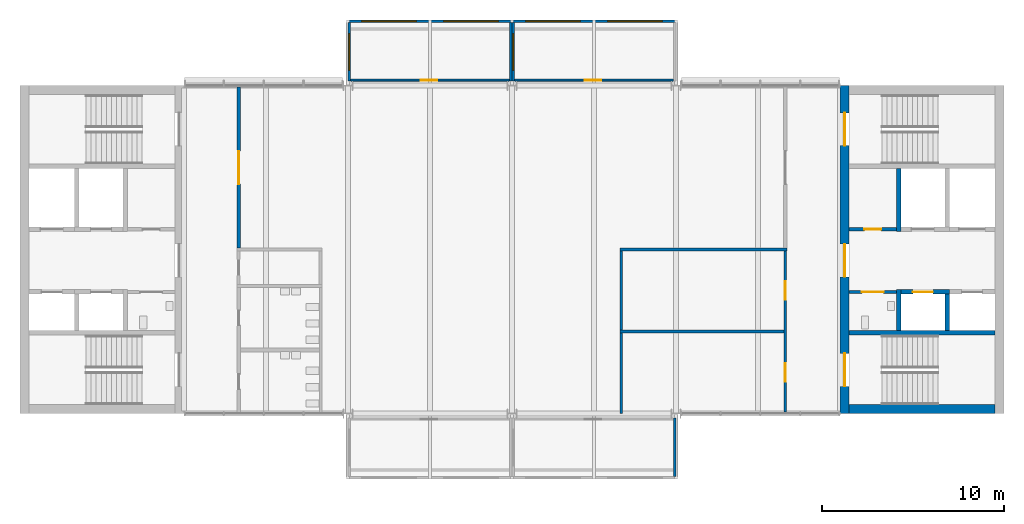
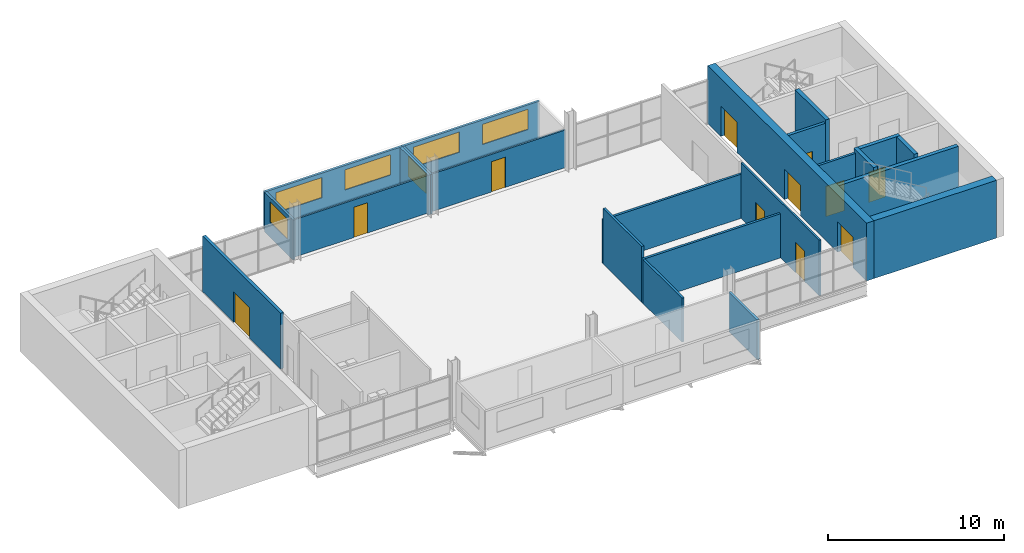
# One storey, part 6 of 10: 23 walls, 11 doors, 6 windows, 17 openings.
"""IFC4 building model written with IfcOpenShell, lengths in metres."""

from ifc_helpers import new_model, si_unit, direction, frame, frame_2d, origin, place, context, subcontext, project, spatial, rectangle, extrude, material, layer, layer_set, type_object, element, fill, save


model = new_model("IFC4")

# Units and contexts
model_context = context("Model", 3, precision=1e-05, world=origin(), true_north=direction((0.0, 1.0)))
body_context = subcontext(model_context, "Body", "Model", "MODEL_VIEW")
ifc_project = project(units=[si_unit("LENGTHUNIT", "METRE"), si_unit("AREAUNIT", "SQUARE_METRE"), si_unit("VOLUMEUNIT", "CUBIC_METRE"), si_unit("PLANEANGLEUNIT", "RADIAN"), si_unit("MASSUNIT", "GRAM", prefix="KILO")], contexts=[model_context])

# Site, building, storey
site_placement = place(None, origin())
site = spatial("IfcSite", under=ifc_project, at=site_placement, CompositionType="ELEMENT")
building_placement = place(site_placement, origin())
building = spatial("IfcBuilding", under=site, at=building_placement, Name="Corbel Yard City Hall", CompositionType="ELEMENT")
storey_placement = place(building_placement, frame((0.0, 0.0, 19.199951171875)))
storey = spatial("IfcBuildingStorey", under=building, at=storey_placement, Name="L04", CompositionType="ELEMENT", Elevation=19.199951171875)

# Walls
ifc_material_1 = material(Name="Concrete N40 (40 MPa)", Category="concrete")
ifc_layer_1 = layer(ifc_material_1, 0.25)
ifc_layer_set_1 = layer_set([ifc_layer_1], Name="Concrete N40 (40 MPa)")
wall_type_1 = type_object("IfcWallType", Name="IW2", PredefinedType="SOLIDWALL", material=ifc_layer_set_1)
wall_1_placement = place(storey_placement, frame((45.5, 103.425048828125, 0.0), z_axis=(0.0, 0.0, 1.0), x_axis=(1.0, 0.0, 0.0)))
element("IfcWall", 1, at=wall_1_placement, inside=storey, type_object=wall_type_1, Name="Stair enclosure wall", PredefinedType="SOLIDWALL", context=body_context, shape_type="SweptSolid", body=[
    extrude(rectangle(XDim=8.0, YDim=0.25, at=frame_2d((4.0, 0.0))), origin(), (0.0, 0.0, 1.0), 3.75),
])
wall_2_placement = place(storey_placement, frame((48.22509765625, 103.550048828125, 0.0), z_axis=(0.0, 0.0, 1.0), x_axis=(0.0, 1.0, 0.0)))
element("IfcWall", 2, at=wall_2_placement, inside=storey, type_object=wall_type_1, Name="Lift LP25 shaft wall", PredefinedType="SOLIDWALL", context=body_context, shape_type="SweptSolid", body=[
    extrude(rectangle(XDim=2.25, YDim=0.25, at=frame_2d((1.125, 0.0))), origin(), (0.0, 0.0, 1.0), 4.0),
])
wall_3_placement = place(storey_placement, frame((50.875, 103.550048828125, 0.0), z_axis=(0.0, 0.0, 1.0), x_axis=(0.0, 1.0, 0.0)))
element("IfcWall", 3, at=wall_3_placement, inside=storey, type_object=wall_type_1, Name="Lift LP25 shaft wall", PredefinedType="SOLIDWALL", context=body_context, shape_type="SweptSolid", body=[
    extrude(rectangle(XDim=2.0, YDim=0.25, at=frame_2d((1.0, 0.0))), origin(), (0.0, 0.0, 1.0), 4.0),
])

# Wall, opening, door
wall_4_placement = place(storey_placement, frame((48.35009765625, 105.675048828125, 0.0), z_axis=(0.0, 0.0, 1.0), x_axis=(1.0, 0.0, 0.0)))
wall_4 = element("IfcWall", 4, at=wall_4_placement, inside=storey, type_object=wall_type_1, Name="Lift LP25 shaft wall", PredefinedType="SOLIDWALL", context=body_context, shape_type="SweptSolid", body=[
    extrude(rectangle(XDim=2.64990234375, YDim=0.25, at=frame_2d((1.324951171875, 0.0))), origin(), (0.0, 0.0, 1.0), 4.0),
])
opening_1_placement = place(wall_4_placement, frame((0.64990234375, 0.0, 0.0)))
opening_1 = element("IfcOpeningElement", 5, at=opening_1_placement, cuts=wall_4, Name="Opening T1-009", PredefinedType="OPENING", context=body_context, shape_type="SweptSolid", body=[
    extrude(rectangle(XDim=1.10009765625, YDim=2.10009765625, at=frame_2d((0.550048828125, 1.050048828125))), frame((0.0, 0.135009765625, 0.0), z_axis=(0.0, -1.0, 0.0), x_axis=(1.0, 0.0, 0.0)), (0.0, 0.0, 1.0), 0.27001953125),
])
ifc_material_2 = material(Name="Stainless steel Grade 316", Category="steel")
door_type_1 = type_object("IfcDoorType", Name="LD1", OperationType="DOUBLE_DOOR_SLIDING", PredefinedType="DOOR", material=ifc_material_2)
door_1_placement = place(opening_1_placement, origin())
door_1 = element("IfcDoor", 6, at=door_1_placement, inside=storey, type_object=door_type_1, Name="Lift LP25 landing door", OperationType="DOUBLE_DOOR_SLIDING", OverallHeight=2.10009765625, OverallWidth=1.10009765625, PredefinedType="DOOR", context=body_context, shape_type="SweptSolid", body=[
    extrude(rectangle(XDim=1.10009765625, YDim=2.10009765625, at=frame_2d((0.550048828125, 1.050048828125))), frame((0.0, 0.02490234375, 0.0), z_axis=(0.0, -1.0, 0.0), x_axis=(1.0, 0.0, 0.0)), (0.0, 0.0, 1.0), 0.050048828125),
])
fill(opening_1, door_1)

# Wall
wall_5_placement = place(storey_placement, frame((48.22509765625, 109.0, 0.0), z_axis=(0.0, 0.0, 1.0), x_axis=(0.0, 1.0, 0.0)))
element("IfcWall", 7, at=wall_5_placement, inside=storey, type_object=wall_type_1, Name="Lift LF2 shaft wall", PredefinedType="SOLIDWALL", context=body_context, shape_type="SweptSolid", body=[
    extrude(rectangle(XDim=3.449951171875, YDim=0.25, at=frame_2d((1.72509765625, 0.0))), origin(), (0.0, 0.0, 1.0), 4.0),
])

# Wall, openings, windows
ifc_material_3 = material(Name="Anodised aluminium", Category="aluminium")
ifc_layer_2 = layer(ifc_material_3, 0.02392578125)
ifc_material_4 = material(Name="Steel Grade G550 (550 MPa yield)", Category="steel")
ifc_layer_3 = layer(ifc_material_4, 0.10009765625)
ifc_material_5 = material(Name="Gypsum plasterboard", Category="gypsum")
ifc_layer_4 = layer(ifc_material_5, 0.02587890625)
ifc_layer_set_2 = layer_set([ifc_layer_2, ifc_layer_3, ifc_layer_4], Name="Steel Grade G550 (550 MPa yield)")
wall_type_2 = type_object("IfcWallType", Name="PD1", PredefinedType="SOLIDWALL", material=ifc_layer_set_2)
wall_6_placement = place(storey_placement, frame((18.0, 120.52490234375, 0.0), z_axis=(0.0, 0.0, 1.0), x_axis=(1.0, 0.0, 0.0)))
wall_6 = element("IfcWall", 8, at=wall_6_placement, inside=storey, type_object=wall_type_2, Name="Pod outer wall L04", PredefinedType="SOLIDWALL", context=body_context, shape_type="SweptSolid", body=[
    extrude(rectangle(XDim=9.0, YDim=0.14990234375, at=frame_2d((4.5, 0.0))), origin(), (0.0, 0.0, 1.0), 2.60009765625),
])
opening_2_placement = place(wall_6_placement, frame((0.75, 0.0, 0.89990234375)))
opening_2 = element("IfcOpeningElement", 9, at=opening_2_placement, cuts=wall_6, Name="Opening WN5", PredefinedType="OPENING", context=body_context, shape_type="SweptSolid", body=[
    extrude(rectangle(XDim=3.0, YDim=1.39990234375, at=frame_2d((1.5, 0.699951171875))), frame((0.0, 0.0849609375, 0.0), z_axis=(0.0, -1.0, 0.0), x_axis=(1.0, 0.0, 0.0)), (0.0, 0.0, 1.0), 0.169921875),
])
opening_3_placement = place(wall_6_placement, frame((5.25, 0.0, 0.89990234375)))
opening_3 = element("IfcOpeningElement", 10, at=opening_3_placement, cuts=wall_6, Name="Opening WN5", PredefinedType="OPENING", context=body_context, shape_type="SweptSolid", body=[
    extrude(rectangle(XDim=3.0, YDim=1.39990234375, at=frame_2d((1.5, 0.699951171875))), frame((0.0, 0.0849609375, 0.0), z_axis=(0.0, -1.0, 0.0), x_axis=(1.0, 0.0, 0.0)), (0.0, 0.0, 1.0), 0.169921875),
])
ifc_material_6 = material(Name="Aluminium frame, double glazed low-e glass", Category="aluminium")
window_type_1 = type_object("IfcWindowType", Name="WN5", PartitioningType="SINGLE_PANEL", PredefinedType="WINDOW", material=ifc_material_6)
window_1_placement = place(opening_2_placement, origin())
window_1 = element("IfcWindow", 11, at=window_1_placement, inside=storey, type_object=window_type_1, Name="Window WN5 L04", OverallHeight=1.39990234375, OverallWidth=3.0, PartitioningType="SINGLE_PANEL", PredefinedType="WINDOW", context=body_context, shape_type="SweptSolid", body=[
    extrude(rectangle(XDim=3.0, YDim=1.39990234375, at=frame_2d((1.5, 0.699951171875))), frame((0.0, 0.030029296875, 0.0), z_axis=(0.0, -1.0, 0.0), x_axis=(1.0, 0.0, 0.0)), (0.0, 0.0, 1.0), 0.06005859375),
])
fill(opening_2, window_1)
window_2_placement = place(opening_3_placement, origin())
window_2 = element("IfcWindow", 12, at=window_2_placement, inside=storey, type_object=window_type_1, Name="Window WN5 L04", OverallHeight=1.39990234375, OverallWidth=3.0, PartitioningType="SINGLE_PANEL", PredefinedType="WINDOW", context=body_context, shape_type="SweptSolid", body=[
    extrude(rectangle(XDim=3.0, YDim=1.39990234375, at=frame_2d((1.5, 0.699951171875))), frame((0.0, 0.030029296875, 0.0), z_axis=(0.0, -1.0, 0.0), x_axis=(1.0, 0.0, 0.0)), (0.0, 0.0, 1.0), 0.06005859375),
])
fill(opening_3, window_2)

wall_7_placement = place(storey_placement, frame((27.0, 120.52490234375, 0.0), z_axis=(0.0, 0.0, 1.0), x_axis=(1.0, 0.0, 0.0)))
wall_7 = element("IfcWall", 13, at=wall_7_placement, inside=storey, type_object=wall_type_2, Name="Pod outer wall L04", PredefinedType="SOLIDWALL", context=body_context, shape_type="SweptSolid", body=[
    extrude(rectangle(XDim=9.0, YDim=0.14990234375, at=frame_2d((4.5, 0.0))), origin(), (0.0, 0.0, 1.0), 2.60009765625),
])
opening_4_placement = place(wall_7_placement, frame((0.75, 0.0, 0.89990234375)))
opening_4 = element("IfcOpeningElement", 14, at=opening_4_placement, cuts=wall_7, Name="Opening WN5", PredefinedType="OPENING", context=body_context, shape_type="SweptSolid", body=[
    extrude(rectangle(XDim=3.0, YDim=1.39990234375, at=frame_2d((1.5, 0.699951171875))), frame((0.0, 0.0849609375, 0.0), z_axis=(0.0, -1.0, 0.0), x_axis=(1.0, 0.0, 0.0)), (0.0, 0.0, 1.0), 0.169921875),
])
opening_5_placement = place(wall_7_placement, frame((5.25, 0.0, 0.89990234375)))
opening_5 = element("IfcOpeningElement", 15, at=opening_5_placement, cuts=wall_7, Name="Opening WN5", PredefinedType="OPENING", context=body_context, shape_type="SweptSolid", body=[
    extrude(rectangle(XDim=3.0, YDim=1.39990234375, at=frame_2d((1.5, 0.699951171875))), frame((0.0, 0.0849609375, 0.0), z_axis=(0.0, -1.0, 0.0), x_axis=(1.0, 0.0, 0.0)), (0.0, 0.0, 1.0), 0.169921875),
])
window_3_placement = place(opening_4_placement, origin())
window_3 = element("IfcWindow", 16, at=window_3_placement, inside=storey, type_object=window_type_1, Name="Window WN5 L04", OverallHeight=1.39990234375, OverallWidth=3.0, PartitioningType="SINGLE_PANEL", PredefinedType="WINDOW", context=body_context, shape_type="SweptSolid", body=[
    extrude(rectangle(XDim=3.0, YDim=1.39990234375, at=frame_2d((1.5, 0.699951171875))), frame((0.0, 0.030029296875, 0.0), z_axis=(0.0, -1.0, 0.0), x_axis=(1.0, 0.0, 0.0)), (0.0, 0.0, 1.0), 0.06005859375),
])
fill(opening_4, window_3)
window_4_placement = place(opening_5_placement, origin())
window_4 = element("IfcWindow", 17, at=window_4_placement, inside=storey, type_object=window_type_1, Name="Window WN5 L04", OverallHeight=1.39990234375, OverallWidth=3.0, PartitioningType="SINGLE_PANEL", PredefinedType="WINDOW", context=body_context, shape_type="SweptSolid", body=[
    extrude(rectangle(XDim=3.0, YDim=1.39990234375, at=frame_2d((1.5, 0.699951171875))), frame((0.0, 0.030029296875, 0.0), z_axis=(0.0, -1.0, 0.0), x_axis=(1.0, 0.0, 0.0)), (0.0, 0.0, 1.0), 0.06005859375),
])
fill(opening_5, window_4)

# Wall, opening, door
ifc_layer_5 = layer(ifc_material_5, 0.01806640625)
ifc_layer_6 = layer(ifc_material_4, 0.06396484375)
ifc_layer_7 = layer(ifc_material_5, 0.01806640625)
ifc_layer_set_3 = layer_set([ifc_layer_5, ifc_layer_6, ifc_layer_7], Name="Steel Grade G550 (550 MPa yield)")
wall_type_3 = type_object("IfcWallType", Name="PD2", PredefinedType="PARTITIONING", material=ifc_layer_set_3)
wall_8_placement = place(storey_placement, frame((18.14990234375, 117.300048828125, 0.0), z_axis=(0.0, 0.0, 1.0), x_axis=(1.0, 0.0, 0.0)))
wall_8 = element("IfcWall", 18, at=wall_8_placement, inside=storey, type_object=wall_type_3, Name="Pod inner wall L04", PredefinedType="PARTITIONING", context=body_context, shape_type="SweptSolid", body=[
    extrude(rectangle(XDim=8.7001953125, YDim=0.10009765625, at=frame_2d((4.35009765625, 0.0))), origin(), (0.0, 0.0, 1.0), 2.60009765625),
])
opening_6_placement = place(wall_8_placement, frame((3.85009765625, 0.0, 0.0)))
opening_6 = element("IfcOpeningElement", 19, at=opening_6_placement, cuts=wall_8, Name="Opening T1-003", PredefinedType="OPENING", context=body_context, shape_type="SweptSolid", body=[
    extrude(rectangle(XDim=0.89990234375, YDim=2.10009765625, at=frame_2d((0.449951171875, 1.050048828125))), frame((0.0, 0.06005859375, 0.0), z_axis=(0.0, -1.0, 0.0), x_axis=(1.0, 0.0, 0.0)), (0.0, 0.0, 1.0), 0.1201171875),
])
ifc_material_7 = material(Name="Timber, solid core", Category="wood")
door_type_2 = type_object("IfcDoorType", Name="XD6", OperationType="SINGLE_SWING_LEFT", PredefinedType="DOOR", material=ifc_material_7)
door_2_placement = place(opening_6_placement, origin())
door_2 = element("IfcDoor", 20, at=door_2_placement, inside=storey, type_object=door_type_2, Name="Pod door L04", OperationType="SINGLE_SWING_LEFT", OverallHeight=2.10009765625, OverallWidth=0.89990234375, PredefinedType="DOOR", context=body_context, shape_type="SweptSolid", body=[
    extrude(rectangle(XDim=0.89990234375, YDim=2.10009765625, at=frame_2d((0.449951171875, 1.050048828125))), frame((0.0, 0.02490234375, 0.0), z_axis=(0.0, -1.0, 0.0), x_axis=(1.0, 0.0, 0.0)), (0.0, 0.0, 1.0), 0.050048828125),
])
fill(opening_6, door_2)

wall_9_placement = place(storey_placement, frame((27.14990234375, 117.300048828125, 0.0), z_axis=(0.0, 0.0, 1.0), x_axis=(1.0, 0.0, 0.0)))
wall_9 = element("IfcWall", 21, at=wall_9_placement, inside=storey, type_object=wall_type_3, Name="Pod inner wall L04", PredefinedType="PARTITIONING", context=body_context, shape_type="SweptSolid", body=[
    extrude(rectangle(XDim=8.7001953125, YDim=0.10009765625, at=frame_2d((4.35009765625, 0.0))), origin(), (0.0, 0.0, 1.0), 2.60009765625),
])
opening_7_placement = place(wall_9_placement, frame((3.85009765625, 0.0, 0.0)))
opening_7 = element("IfcOpeningElement", 22, at=opening_7_placement, cuts=wall_9, Name="Opening T1-004", PredefinedType="OPENING", context=body_context, shape_type="SweptSolid", body=[
    extrude(rectangle(XDim=0.89990234375, YDim=2.10009765625, at=frame_2d((0.449951171875, 1.050048828125))), frame((0.0, 0.06005859375, 0.0), z_axis=(0.0, -1.0, 0.0), x_axis=(1.0, 0.0, 0.0)), (0.0, 0.0, 1.0), 0.1201171875),
])
door_3_placement = place(opening_7_placement, origin())
door_3 = element("IfcDoor", 23, at=door_3_placement, inside=storey, type_object=door_type_2, Name="Pod door L04", OperationType="SINGLE_SWING_LEFT", OverallHeight=2.10009765625, OverallWidth=0.89990234375, PredefinedType="DOOR", context=body_context, shape_type="SweptSolid", body=[
    extrude(rectangle(XDim=0.89990234375, YDim=2.10009765625, at=frame_2d((0.449951171875, 1.050048828125))), frame((0.0, 0.02490234375, 0.0), z_axis=(0.0, -1.0, 0.0), x_axis=(1.0, 0.0, 0.0)), (0.0, 0.0, 1.0), 0.050048828125),
])
fill(opening_7, door_3)

# Wall
ifc_layer_8 = layer(ifc_material_3, 0.02392578125)
ifc_layer_9 = layer(ifc_material_4, 0.10009765625)
ifc_layer_10 = layer(ifc_material_5, 0.02587890625)
ifc_layer_set_4 = layer_set([ifc_layer_8, ifc_layer_9, ifc_layer_10], Name="Steel Grade G550 (550 MPa yield)")
wall_type_4 = type_object("IfcWallType", Name="PD3", PredefinedType="SOLIDWALL", material=ifc_layer_set_4)
wall_10_placement = place(storey_placement, frame((35.925048828125, 95.550048828125, -0.14990234375), z_axis=(0.0, 0.0, 1.0), x_axis=(0.0, 1.0, 0.0)))
element("IfcWall", 24, at=wall_10_placement, inside=storey, type_object=wall_type_4, Name="Pod side wall L04", PredefinedType="SOLIDWALL", context=body_context, shape_type="SweptSolid", body=[
    extrude(rectangle(XDim=3.199951171875, YDim=0.14990234375, at=frame_2d((1.60009765625, 0.0))), origin(), (0.0, 0.0, 1.0), 2.75),
])

# Wall, opening, window
wall_11_placement = place(storey_placement, frame((18.074951171875, 120.449951171875, -0.14990234375), z_axis=(0.0, 0.0, 1.0), x_axis=(0.0, -1.0, 0.0)))
wall_11 = element("IfcWall", 25, at=wall_11_placement, inside=storey, type_object=wall_type_4, Name="Pod side wall L04", PredefinedType="SOLIDWALL", context=body_context, shape_type="SweptSolid", body=[
    extrude(rectangle(XDim=3.199951171875, YDim=0.14990234375, at=frame_2d((1.60009765625, 0.0))), origin(), (0.0, 0.0, 1.0), 2.75),
])
opening_8_placement = place(wall_11_placement, frame((0.60009765625, 0.0, 1.050048828125)))
opening_8 = element("IfcOpeningElement", 26, at=opening_8_placement, cuts=wall_11, Name="Opening WN6", PredefinedType="OPENING", context=body_context, shape_type="SweptSolid", body=[
    extrude(rectangle(XDim=2.0, YDim=1.39990234375, at=frame_2d((1.0, 0.699951171875))), frame((0.0, 0.0849609375, 0.0), z_axis=(0.0, -1.0, 0.0), x_axis=(1.0, 0.0, 0.0)), (0.0, 0.0, 1.0), 0.169921875),
])
window_type_2 = type_object("IfcWindowType", Name="WN6", PartitioningType="SINGLE_PANEL", PredefinedType="WINDOW", material=ifc_material_6)
window_5_placement = place(opening_8_placement, origin())
window_5 = element("IfcWindow", 27, at=window_5_placement, inside=storey, type_object=window_type_2, Name="Window WN6 L04", OverallHeight=1.39990234375, OverallWidth=2.0, PartitioningType="SINGLE_PANEL", PredefinedType="WINDOW", context=body_context, shape_type="SweptSolid", body=[
    extrude(rectangle(XDim=2.0, YDim=1.39990234375, at=frame_2d((1.0, 0.699951171875))), frame((0.0, 0.030029296875, 0.0), z_axis=(0.0, -1.0, 0.0), x_axis=(1.0, 0.0, 0.0)), (0.0, 0.0, 1.0), 0.06005859375),
])
fill(opening_8, window_5)

# Wall
wall_12_placement = place(storey_placement, frame((26.925048828125, 120.449951171875, -0.14990234375), z_axis=(0.0, 0.0, 1.0), x_axis=(0.0, -1.0, 0.0)))
element("IfcWall", 28, at=wall_12_placement, inside=storey, type_object=wall_type_4, Name="Pod side wall L04", PredefinedType="SOLIDWALL", context=body_context, shape_type="SweptSolid", body=[
    extrude(rectangle(XDim=3.199951171875, YDim=0.14990234375, at=frame_2d((1.60009765625, 0.0))), origin(), (0.0, 0.0, 1.0), 2.75),
])

# Wall, opening, window
wall_13_placement = place(storey_placement, frame((27.074951171875, 120.449951171875, -0.14990234375), z_axis=(0.0, 0.0, 1.0), x_axis=(0.0, -1.0, 0.0)))
wall_13 = element("IfcWall", 29, at=wall_13_placement, inside=storey, type_object=wall_type_4, Name="Pod side wall L04", PredefinedType="SOLIDWALL", context=body_context, shape_type="SweptSolid", body=[
    extrude(rectangle(XDim=3.199951171875, YDim=0.14990234375, at=frame_2d((1.60009765625, 0.0))), origin(), (0.0, 0.0, 1.0), 2.75),
])
opening_9_placement = place(wall_13_placement, frame((0.60009765625, 0.0, 1.050048828125)))
opening_9 = element("IfcOpeningElement", 30, at=opening_9_placement, cuts=wall_13, Name="Opening WN6", PredefinedType="OPENING", context=body_context, shape_type="SweptSolid", body=[
    extrude(rectangle(XDim=2.0, YDim=1.39990234375, at=frame_2d((1.0, 0.699951171875))), frame((0.0, 0.0849609375, 0.0), z_axis=(0.0, -1.0, 0.0), x_axis=(1.0, 0.0, 0.0)), (0.0, 0.0, 1.0), 0.169921875),
])
window_6_placement = place(opening_9_placement, origin())
window_6 = element("IfcWindow", 31, at=window_6_placement, inside=storey, type_object=window_type_2, Name="Window WN6 L04", OverallHeight=1.39990234375, OverallWidth=2.0, PartitioningType="SINGLE_PANEL", PredefinedType="WINDOW", context=body_context, shape_type="SweptSolid", body=[
    extrude(rectangle(XDim=2.0, YDim=1.39990234375, at=frame_2d((1.0, 0.699951171875))), frame((0.0, 0.030029296875, 0.0), z_axis=(0.0, -1.0, 0.0), x_axis=(1.0, 0.0, 0.0)), (0.0, 0.0, 1.0), 0.06005859375),
])
fill(opening_9, window_6)

# Wall, opening, door
ifc_layer_11 = layer(ifc_material_5, 0.031982421875)
ifc_layer_12 = layer(ifc_material_4, 0.135986328125)
ifc_layer_13 = layer(ifc_material_5, 0.031982421875)
ifc_layer_set_5 = layer_set([ifc_layer_11, ifc_layer_12, ifc_layer_13], Name="Steel Grade G550 (550 MPa yield)")
wall_type_5 = type_object("IfcWallType", Name="PT2", PredefinedType="PARTITIONING", material=ifc_layer_set_5)
wall_14_placement = place(storey_placement, frame((12.0, 108.080078125, 0.0), z_axis=(0.0, 0.0, 1.0), x_axis=(0.0, 1.0, 0.0)))
wall_14 = element("IfcWall", 32, at=wall_14_placement, inside=storey, type_object=wall_type_5, Name="Acoustic wall", PredefinedType="PARTITIONING", context=body_context, shape_type="SweptSolid", body=[
    extrude(rectangle(XDim=8.829833984375, YDim=0.199951171875, at=frame_2d((4.4150390625, 0.0))), origin(), (0.0, 0.0, 1.0), 3.85009765625),
])
opening_10_placement = place(wall_14_placement, frame((3.52001953125, 0.0, 0.0)))
opening_10 = element("IfcOpeningElement", 33, at=opening_10_placement, cuts=wall_14, Name="Opening T1-016", PredefinedType="OPENING", context=body_context, shape_type="SweptSolid", body=[
    extrude(rectangle(XDim=1.800048828125, YDim=2.10009765625, at=frame_2d((0.89990234375, 1.050048828125))), frame((0.0, 0.10986328125, 0.0), z_axis=(0.0, -1.0, 0.0), x_axis=(1.0, 0.0, 0.0)), (0.0, 0.0, 1.0), 0.219970703125),
])
ifc_material_8 = material(Name="Timber", Category="wood")
door_type_3 = type_object("IfcDoorType", Name="D3", OperationType="DOUBLE_DOOR_SINGLE_SWING", PredefinedType="DOOR", material=ifc_material_8)
door_4_placement = place(opening_10_placement, origin())
door_4 = element("IfcDoor", 34, at=door_4_placement, inside=storey, type_object=door_type_3, Name="Door Open Office 0406", OperationType="DOUBLE_DOOR_SINGLE_SWING", OverallHeight=2.10009765625, OverallWidth=1.800048828125, PredefinedType="DOOR", context=body_context, shape_type="SweptSolid", body=[
    extrude(rectangle(XDim=1.800048828125, YDim=2.10009765625, at=frame_2d((0.89990234375, 1.050048828125))), frame((0.0, 0.02490234375, 0.0), z_axis=(0.0, -1.0, 0.0), x_axis=(1.0, 0.0, 0.0)), (0.0, 0.0, 1.0), 0.050048828125),
])
fill(opening_10, door_4)

ifc_layer_14 = layer(ifc_material_5, 0.031982421875)
ifc_layer_15 = layer(ifc_material_4, 0.095947265625)
ifc_layer_16 = layer(ifc_material_5, 0.031982421875)
ifc_layer_set_6 = layer_set([ifc_layer_14, ifc_layer_15, ifc_layer_16], Name="Steel Grade G550 (550 MPa yield)")
wall_type_6 = type_object("IfcWallType", Name="PT3", PredefinedType="PARTITIONING", material=ifc_layer_set_6)
wall_15_placement = place(storey_placement, frame((45.5, 105.675048828125, 0.0), z_axis=(0.0, 0.0, 1.0), x_axis=(1.0, 0.0, 0.0)))
wall_15 = element("IfcWall", 35, at=wall_15_placement, inside=storey, type_object=wall_type_6, Name="Accessible WC wall", PredefinedType="PARTITIONING", context=body_context, shape_type="SweptSolid", body=[
    extrude(rectangle(XDim=2.60009765625, YDim=0.159912109375, at=frame_2d((1.300048828125, 0.0))), origin(), (0.0, 0.0, 1.0), 3.75),
])
opening_11_placement = place(wall_15_placement, frame((0.699951171875, 0.0, 0.0)))
opening_11 = element("IfcOpeningElement", 36, at=opening_11_placement, cuts=wall_15, Name="Opening T1-028", PredefinedType="OPENING", context=body_context, shape_type="SweptSolid", body=[
    extrude(rectangle(XDim=1.199951171875, YDim=2.10009765625, at=frame_2d((0.60009765625, 1.050048828125))), frame((0.0, 0.08984375, 0.0), z_axis=(0.0, -1.0, 0.0), x_axis=(1.0, 0.0, 0.0)), (0.0, 0.0, 1.0), 0.179931640625),
])
ifc_material_9 = material(Name="Steel Grade G250", Category="steel")
door_type_4 = type_object("IfcDoorType", Name="FD7", OperationType="SINGLE_SWING_LEFT", PredefinedType="DOOR", material=ifc_material_9)
door_5_placement = place(opening_11_placement, frame((1.199951171875, 0.0, 0.0), z_axis=(0.0, 0.0, 1.0), x_axis=(-1.0, 0.0, 0.0)))
door_5 = element("IfcDoor", 37, at=door_5_placement, inside=storey, type_object=door_type_4, Name="Door accessible WC East", OperationType="SINGLE_SWING_RIGHT", OverallHeight=2.10009765625, OverallWidth=1.199951171875, PredefinedType="DOOR", context=body_context, shape_type="SweptSolid", body=[
    extrude(rectangle(XDim=1.199951171875, YDim=2.10009765625, at=frame_2d((0.60009765625, 1.050048828125))), frame((0.0, 0.02490234375, 0.0), z_axis=(0.0, -1.0, 0.0), x_axis=(1.0, 0.0, 0.0)), (0.0, 0.0, 1.0), 0.050048828125),
])
fill(opening_11, door_5)

ifc_material_10 = material(Name="Concrete block", Category="concrete")
ifc_layer_17 = layer(ifc_material_10, 0.18994140625)
ifc_layer_set_7 = layer_set([ifc_layer_17], Name="Concrete block")
wall_type_7 = type_object("IfcWallType", Name="PT4", PredefinedType="PARTITIONING", material=ifc_layer_set_7)
wall_16_placement = place(storey_placement, frame((45.5, 109.125, 0.0), z_axis=(0.0, 0.0, 1.0), x_axis=(1.0, 0.0, 0.0)))
wall_16 = element("IfcWall", 38, at=wall_16_placement, inside=storey, type_object=wall_type_7, Name="Riser wall", PredefinedType="PARTITIONING", context=body_context, shape_type="SweptSolid", body=[
    extrude(rectangle(XDim=2.60009765625, YDim=0.18994140625, at=frame_2d((1.300048828125, 0.0))), origin(), (0.0, 0.0, 1.0), 3.75),
])
opening_12_placement = place(wall_16_placement, frame((0.840087890625, 0.0, 0.0)))
opening_12 = element("IfcOpeningElement", 39, at=opening_12_placement, cuts=wall_16, Name="Opening T1-029", PredefinedType="OPENING", context=body_context, shape_type="SweptSolid", body=[
    extrude(rectangle(XDim=0.919921875, YDim=2.10009765625, at=frame_2d((0.4599609375, 1.050048828125))), frame((0.0, 0.10498046875, 0.0), z_axis=(0.0, -1.0, 0.0), x_axis=(1.0, 0.0, 0.0)), (0.0, 0.0, 1.0), 0.2099609375),
])
door_type_5 = type_object("IfcDoorType", Name="FS4", OperationType="SINGLE_SWING_LEFT", PredefinedType="DOOR", material=ifc_material_9)
door_6_placement = place(opening_12_placement, origin())
door_6 = element("IfcDoor", 40, at=door_6_placement, inside=storey, type_object=door_type_5, Name="Door riser East", OperationType="SINGLE_SWING_LEFT", OverallHeight=2.10009765625, OverallWidth=0.919921875, PredefinedType="DOOR", context=body_context, shape_type="SweptSolid", body=[
    extrude(rectangle(XDim=0.919921875, YDim=2.10009765625, at=frame_2d((0.4599609375, 1.050048828125))), frame((0.0, 0.02490234375, 0.0), z_axis=(0.0, -1.0, 0.0), x_axis=(1.0, 0.0, 0.0)), (0.0, 0.0, 1.0), 0.050048828125),
])
fill(opening_12, door_6)

# Wall, openings, doors
ifc_material_11 = material(Name="Glass", Category="glass")
ifc_layer_18 = layer(ifc_material_11, 0.1201171875)
ifc_layer_set_8 = layer_set([ifc_layer_18], Name="Glass")
wall_type_8 = type_object("IfcWallType", Name="PT41", PredefinedType="PARTITIONING", material=ifc_layer_set_8)
wall_17_placement = place(storey_placement, frame((42.0, 99.074951171875, 0.0), z_axis=(0.0, 0.0, 1.0), x_axis=(0.0, 1.0, 0.0)))
wall_17 = element("IfcWall", 41, at=wall_17_placement, inside=storey, type_object=wall_type_8, Name="Glazed partition", PredefinedType="PARTITIONING", context=body_context, shape_type="SweptSolid", body=[
    extrude(rectangle(XDim=8.85009765625, YDim=0.1201171875, at=frame_2d((4.425048828125, 0.0))), origin(), (0.0, 0.0, 1.0), 3.85009765625),
])
opening_13_placement = place(wall_17_placement, frame((1.675048828125, 0.0, 0.0)))
opening_13 = element("IfcOpeningElement", 42, at=opening_13_placement, cuts=wall_17, Name="Opening T1-018", PredefinedType="OPENING", context=body_context, shape_type="SweptSolid", body=[
    extrude(rectangle(XDim=1.0, YDim=2.10009765625, at=frame_2d((0.5, 1.050048828125))), frame((0.0, 0.070068359375, 0.0), z_axis=(0.0, -1.0, 0.0), x_axis=(1.0, 0.0, 0.0)), (0.0, 0.0, 1.0), 0.14013671875),
])
opening_14_placement = place(wall_17_placement, frame((6.175048828125, 0.0, 0.0)))
opening_14 = element("IfcOpeningElement", 43, at=opening_14_placement, cuts=wall_17, Name="Opening T1-019", PredefinedType="OPENING", context=body_context, shape_type="SweptSolid", body=[
    extrude(rectangle(XDim=1.0, YDim=2.10009765625, at=frame_2d((0.5, 1.050048828125))), frame((0.0, 0.070068359375, 0.0), z_axis=(0.0, -1.0, 0.0), x_axis=(1.0, 0.0, 0.0)), (0.0, 0.0, 1.0), 0.14013671875),
])
door_type_6 = type_object("IfcDoorType", Name="D1", OperationType="SINGLE_SWING_LEFT", PredefinedType="DOOR", material=ifc_material_8)
door_7_placement = place(opening_13_placement, origin())
door_7 = element("IfcDoor", 44, at=door_7_placement, inside=storey, type_object=door_type_6, Name="Door Meeting Room 0407", OperationType="SINGLE_SWING_RIGHT", OverallHeight=2.10009765625, OverallWidth=1.0, PredefinedType="DOOR", context=body_context, shape_type="SweptSolid", body=[
    extrude(rectangle(XDim=1.0, YDim=2.10009765625, at=frame_2d((0.5, 1.050048828125))), frame((0.0, 0.02490234375, 0.0), z_axis=(0.0, -1.0, 0.0), x_axis=(1.0, 0.0, 0.0)), (0.0, 0.0, 1.0), 0.050048828125),
])
fill(opening_13, door_7)
door_8_placement = place(opening_14_placement, origin())
door_8 = element("IfcDoor", 45, at=door_8_placement, inside=storey, type_object=door_type_6, Name="Door Meeting Room 0408", OperationType="SINGLE_SWING_LEFT", OverallHeight=2.10009765625, OverallWidth=1.0, PredefinedType="DOOR", context=body_context, shape_type="SweptSolid", body=[
    extrude(rectangle(XDim=1.0, YDim=2.10009765625, at=frame_2d((0.5, 1.050048828125))), frame((0.0, 0.02490234375, 0.0), z_axis=(0.0, -1.0, 0.0), x_axis=(1.0, 0.0, 0.0)), (0.0, 0.0, 1.0), 0.050048828125),
])
fill(opening_14, door_8)

# Walls
ifc_layer_19 = layer(ifc_material_5, 0.031982421875)
ifc_layer_20 = layer(ifc_material_4, 0.0859375)
ifc_layer_21 = layer(ifc_material_5, 0.031982421875)
ifc_layer_set_9 = layer_set([ifc_layer_19, ifc_layer_20, ifc_layer_21], Name="Steel Grade G550 (550 MPa yield)")
wall_type_9 = type_object("IfcWallType", Name="PT7", PredefinedType="PARTITIONING", material=ifc_layer_set_9)
wall_18_placement = place(storey_placement, frame((32.925048828125, 103.5, 0.0), z_axis=(0.0, 0.0, 1.0), x_axis=(1.0, 0.0, 0.0)))
element("IfcWall", 46, at=wall_18_placement, inside=storey, type_object=wall_type_9, Name="Suite partition", PredefinedType="PARTITIONING", context=body_context, shape_type="SweptSolid", body=[
    extrude(rectangle(XDim=9.014892578125, YDim=0.14990234375, at=frame_2d((4.50732421875, 0.0))), origin(), (0.0, 0.0, 1.0), 3.050048828125),
])
wall_19_placement = place(storey_placement, frame((32.925048828125, 108.0, 0.0), z_axis=(0.0, 0.0, 1.0), x_axis=(1.0, 0.0, 0.0)))
element("IfcWall", 47, at=wall_19_placement, inside=storey, type_object=wall_type_9, Name="Suite partition", PredefinedType="PARTITIONING", context=body_context, shape_type="SweptSolid", body=[
    extrude(rectangle(XDim=9.175048828125, YDim=0.14990234375, at=frame_2d((4.58740234375, 0.0))), origin(), (0.0, 0.0, 1.0), 3.050048828125),
])
wall_20_placement = place(storey_placement, frame((33.0, 99.0, 0.0), z_axis=(0.0, 0.0, 1.0), x_axis=(0.0, 1.0, 0.0)))
element("IfcWall", 48, at=wall_20_placement, inside=storey, type_object=wall_type_9, Name="Suite partition", PredefinedType="PARTITIONING", context=body_context, shape_type="SweptSolid", body=[
    extrude(rectangle(XDim=4.425048828125, YDim=0.14990234375, at=frame_2d((2.21240234375, 0.0))), origin(), (0.0, 0.0, 1.0), 3.0400390625),
])
wall_21_placement = place(storey_placement, frame((33.0, 103.574951171875, 0.0), z_axis=(0.0, 0.0, 1.0), x_axis=(0.0, 1.0, 0.0)))
element("IfcWall", 49, at=wall_21_placement, inside=storey, type_object=wall_type_9, Name="Suite partition", PredefinedType="PARTITIONING", context=body_context, shape_type="SweptSolid", body=[
    extrude(rectangle(XDim=4.35009765625, YDim=0.14990234375, at=frame_2d((2.175048828125, 0.0))), origin(), (0.0, 0.0, 1.0), 3.85009765625),
])

# Wall, openings, doors
ifc_material_12 = material(Name="Concrete N50 (50 MPa)", Category="concrete")
ifc_layer_22 = layer(ifc_material_12, 0.5)
ifc_layer_set_10 = layer_set([ifc_layer_22], Name="Concrete N50 (50 MPa)")
wall_type_10 = type_object("IfcWallType", Name="Trunk wall 500", PredefinedType="SHEAR", material=ifc_layer_set_10)
wall_22_placement = place(storey_placement, frame((45.25, 99.0, 0.0), z_axis=(0.0, 0.0, 1.0), x_axis=(0.0, 1.0, 0.0)))
wall_22 = element("IfcWall", 50, at=wall_22_placement, inside=storey, type_object=wall_type_10, Name="Trunk E west wall", PredefinedType="SHEAR", context=body_context, shape_type="SweptSolid", body=[
    extrude(rectangle(XDim=18.0, YDim=0.5, at=frame_2d((9.0, 0.0))), origin(), (0.0, 0.0, 1.0), 4.0),
])
opening_15_placement = place(wall_22_placement, frame((1.5, 0.0, 0.0)))
opening_15 = element("IfcOpeningElement", 51, at=opening_15_placement, cuts=wall_22, Name="Opening T1-025", PredefinedType="OPENING", context=body_context, shape_type="SweptSolid", body=[
    extrude(rectangle(XDim=1.800048828125, YDim=2.10009765625, at=frame_2d((0.89990234375, 1.050048828125))), frame((0.0, 0.260009765625, 0.0), z_axis=(0.0, -1.0, 0.0), x_axis=(1.0, 0.0, 0.0)), (0.0, 0.0, 1.0), 0.52001953125),
])
opening_16_placement = place(wall_22_placement, frame((14.699951171875, 0.0, 0.0)))
opening_16 = element("IfcOpeningElement", 52, at=opening_16_placement, cuts=wall_22, Name="Opening T1-026", PredefinedType="OPENING", context=body_context, shape_type="SweptSolid", body=[
    extrude(rectangle(XDim=1.800048828125, YDim=2.10009765625, at=frame_2d((0.89990234375, 1.050048828125))), frame((0.0, 0.260009765625, 0.0), z_axis=(0.0, -1.0, 0.0), x_axis=(1.0, 0.0, 0.0)), (0.0, 0.0, 1.0), 0.52001953125),
])
opening_17_placement = place(wall_22_placement, frame((7.5, 0.0, 0.0)))
opening_17 = element("IfcOpeningElement", 53, at=opening_17_placement, cuts=wall_22, Name="Opening T1-027", PredefinedType="OPENING", context=body_context, shape_type="SweptSolid", body=[
    extrude(rectangle(XDim=1.800048828125, YDim=2.10009765625, at=frame_2d((0.89990234375, 1.050048828125))), frame((0.0, 0.260009765625, 0.0), z_axis=(0.0, -1.0, 0.0), x_axis=(1.0, 0.0, 0.0)), (0.0, 0.0, 1.0), 0.52001953125),
])
door_type_7 = type_object("IfcDoorType", Name="FS3", OperationType="DOUBLE_DOOR_SINGLE_SWING", PredefinedType="DOOR", material=ifc_material_9)
door_9_placement = place(opening_15_placement, origin())
door_9 = element("IfcDoor", 54, at=door_9_placement, inside=storey, type_object=door_type_7, Name="Door ST-E1", OperationType="DOUBLE_DOOR_SINGLE_SWING", OverallHeight=2.10009765625, OverallWidth=1.800048828125, PredefinedType="DOOR", context=body_context, shape_type="SweptSolid", body=[
    extrude(rectangle(XDim=1.800048828125, YDim=2.10009765625, at=frame_2d((0.89990234375, 1.050048828125))), frame((0.0, 0.02490234375, 0.0), z_axis=(0.0, -1.0, 0.0), x_axis=(1.0, 0.0, 0.0)), (0.0, 0.0, 1.0), 0.050048828125),
])
fill(opening_15, door_9)
door_10_placement = place(opening_16_placement, origin())
door_10 = element("IfcDoor", 55, at=door_10_placement, inside=storey, type_object=door_type_7, Name="Door ST-E2", OperationType="DOUBLE_DOOR_SINGLE_SWING", OverallHeight=2.10009765625, OverallWidth=1.800048828125, PredefinedType="DOOR", context=body_context, shape_type="SweptSolid", body=[
    extrude(rectangle(XDim=1.800048828125, YDim=2.10009765625, at=frame_2d((0.89990234375, 1.050048828125))), frame((0.0, 0.02490234375, 0.0), z_axis=(0.0, -1.0, 0.0), x_axis=(1.0, 0.0, 0.0)), (0.0, 0.0, 1.0), 0.050048828125),
])
fill(opening_16, door_10)
door_11_placement = place(opening_17_placement, origin())
door_11 = element("IfcDoor", 56, at=door_11_placement, inside=storey, type_object=door_type_7, Name="Door lift lobby East", OperationType="DOUBLE_DOOR_SINGLE_SWING", OverallHeight=2.10009765625, OverallWidth=1.800048828125, PredefinedType="DOOR", context=body_context, shape_type="SweptSolid", body=[
    extrude(rectangle(XDim=1.800048828125, YDim=2.10009765625, at=frame_2d((0.89990234375, 1.050048828125))), frame((0.0, 0.02490234375, 0.0), z_axis=(0.0, -1.0, 0.0), x_axis=(1.0, 0.0, 0.0)), (0.0, 0.0, 1.0), 0.050048828125),
])
fill(opening_17, door_11)

# Wall
wall_23_placement = place(storey_placement, frame((45.5, 99.25, 0.0), z_axis=(0.0, 0.0, 1.0), x_axis=(1.0, 0.0, 0.0)))
element("IfcWall", 57, at=wall_23_placement, inside=storey, type_object=wall_type_10, Name="Trunk E south wall", PredefinedType="SHEAR", context=body_context, shape_type="SweptSolid", body=[
    extrude(rectangle(XDim=8.0, YDim=0.5, at=frame_2d((4.0, 0.0))), origin(), (0.0, 0.0, 1.0), 4.0),
])

save(model, "model.ifc")
